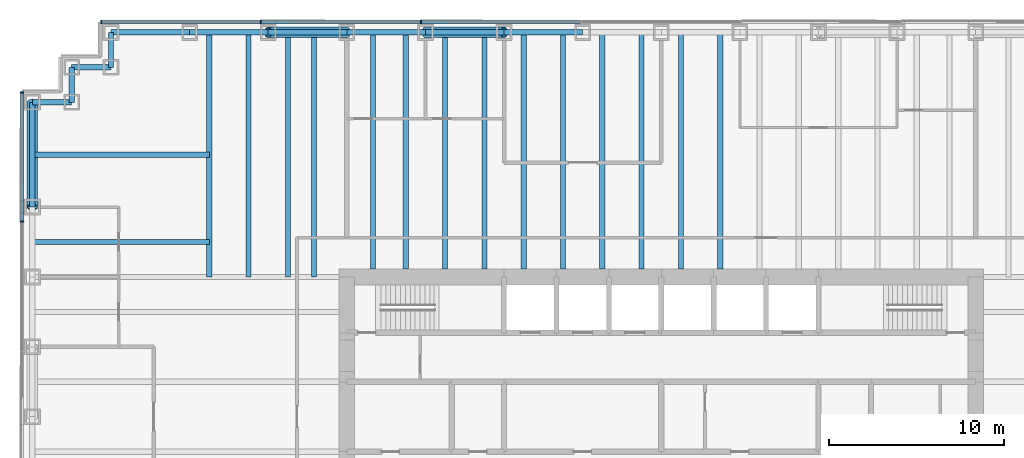
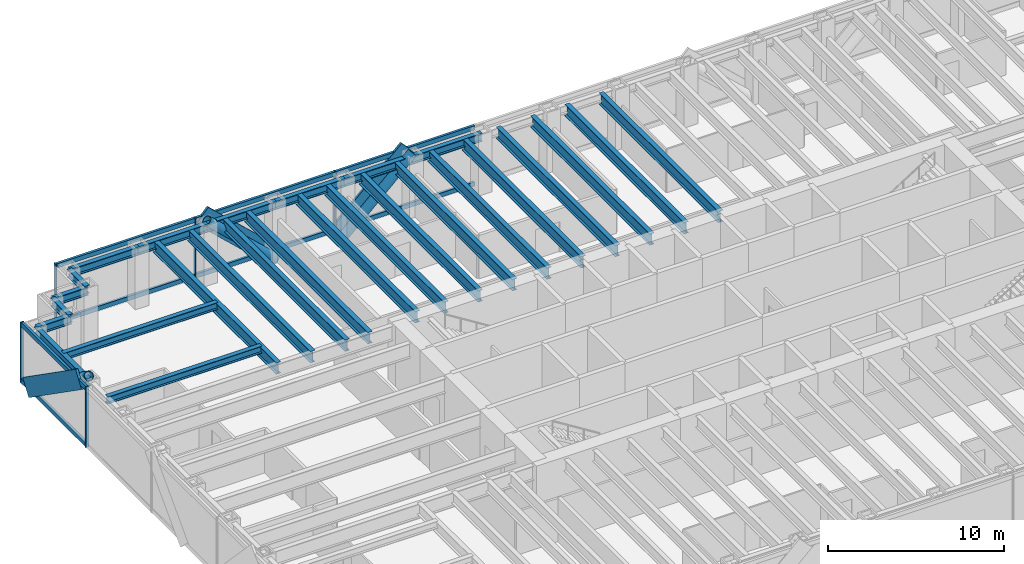
# One storey, part 6 of 15: 27 beams, 19 members, 2 elements without a shape of their own.
"""IFC4 building model written with IfcOpenShell, lengths in metres."""

from ifc_helpers import new_model, si_unit, direction, frame, origin, origin_2d, place, context, subcontext, project, spatial, rectangle, hollow_circle, i_section, extrude, material, material_profile, profile_set, type_object, element, aggregate, save


model = new_model("IFC4")

# Units and contexts
model_context = context("Model", 3, precision=1e-05, world=origin(), true_north=direction((0.0, 1.0)))
body_context = subcontext(model_context, "Body", "Model", "MODEL_VIEW")
ifc_project = project(units=[si_unit("LENGTHUNIT", "METRE"), si_unit("AREAUNIT", "SQUARE_METRE"), si_unit("VOLUMEUNIT", "CUBIC_METRE"), si_unit("PLANEANGLEUNIT", "RADIAN"), si_unit("MASSUNIT", "GRAM", prefix="KILO")], contexts=[model_context])

# Site, building, storey
site_placement = place(None, origin())
site = spatial("IfcSite", under=ifc_project, at=site_placement, CompositionType="ELEMENT")
building_placement = place(site_placement, origin())
building = spatial("IfcBuilding", under=site, at=building_placement, Name="Rheinbord Bourse Tower", CompositionType="ELEMENT")
storey_placement = place(building_placement, frame((0.0, 0.0, 142.5)))
storey = spatial("IfcBuildingStorey", under=building, at=storey_placement, Name="L31", CompositionType="ELEMENT", Elevation=142.5)

# Curtain wall, members
ifc_material_1 = material(Name="Dark glass and black aluminium", Category="aluminium")
curtain_wall_type = type_object("IfcCurtainWallType", Name="CW2 DARK GLASS CURTAIN WALL", PredefinedType="USERDEFINED", material=ifc_material_1)
curtain_wall_1_placement = place(storey_placement, origin())
curtain_wall_1 = element("IfcCurtainWall", 1, at=curtain_wall_1_placement, inside=storey, type_object=curtain_wall_type, Name="Curtain wall CW2 N L31", ObjectType="UNITISED CURTAIN WALL", PredefinedType="USERDEFINED")
ifc_material_2 = material(Name="Black anodised aluminium", Category="aluminium")
ifc_material_profile_1 = material_profile(ifc_material_2, rectangle(XDim=0.159912109375, YDim=1.2099609375, at=origin_2d()), Name="CW2 DIAGONAL MULLION 1210x160")
ifc_profile_set_1 = profile_set([ifc_material_profile_1], Name="Black anodised aluminium")
member_type_1 = type_object("IfcMemberType", Name="CW2 BLACK DIAGONAL MULLION", PredefinedType="USERDEFINED", material=ifc_profile_set_1)
member_1_placement = place(storey_placement, frame((22.5, 46.60009765625, 0.0), z_axis=(0.73105922506, 0.0, 0.682314010889), x_axis=(0.0, 1.0, 0.0)))
member_1 = element("IfcMember", 2, at=member_1_placement, type_object=member_type_1, Name="CW2 diagonal mullion a", ObjectType="DIAGONAL MULLION", PredefinedType="USERDEFINED", context=body_context, shape_type="SweptSolid", body=[
    extrude(rectangle(XDim=0.159912109375, YDim=1.2099609375, at=origin_2d()), origin(), (0.0, 0.0, 1.0), 6.155517578125),
])
member_2_placement = place(storey_placement, frame((18.0, 46.60009765625, 0.0), z_axis=(-0.73105922506, 0.0, 0.682314010889), x_axis=(0.0, -1.0, 0.0)))
member_2 = element("IfcMember", 3, at=member_2_placement, type_object=member_type_1, Name="CW2 diagonal mullion d", ObjectType="DIAGONAL MULLION", PredefinedType="USERDEFINED", context=body_context, shape_type="SweptSolid", body=[
    extrude(rectangle(XDim=0.159912109375, YDim=1.2099609375, at=origin_2d()), origin(), (0.0, 0.0, 1.0), 6.155517578125),
])

# Curtain wall, member
curtain_wall_2_placement = place(storey_placement, origin())
curtain_wall_2 = element("IfcCurtainWall", 4, at=curtain_wall_2_placement, inside=storey, type_object=curtain_wall_type, Name="Curtain wall CW2 W L31", ObjectType="UNITISED CURTAIN WALL", PredefinedType="USERDEFINED")
member_3_placement = place(storey_placement, frame((-0.60009765625, 42.0, 0.0), z_axis=(0.0, -0.819235052632, 0.57345786989), x_axis=(1.0, 0.0, 0.0)))
member_3 = element("IfcMember", 5, at=member_3_placement, type_object=member_type_1, Name="CW2 diagonal mullion d", ObjectType="DIAGONAL MULLION", PredefinedType="USERDEFINED", context=body_context, shape_type="SweptSolid", body=[
    extrude(rectangle(XDim=0.159912109375, YDim=1.2099609375, at=origin_2d()), origin(), (0.0, 0.0, 1.0), 7.323974609375),
])

# Member
ifc_material_3 = material(Name="Black anodised aluminium", Category="aluminium")
ifc_material_profile_2 = material_profile(ifc_material_3, rectangle(XDim=0.219970703125, YDim=0.070068359375, at=origin_2d()), Name="CW2 MULLION 70x220")
ifc_profile_set_2 = profile_set([ifc_material_profile_2], Name="Black anodised aluminium")
member_type_2 = type_object("IfcMemberType", Name="CW2 BLACK MULLION", PredefinedType="MULLION", material=ifc_profile_set_2)
member_4_placement = place(storey_placement, frame((22.242919921875, 46.60009765625, 0.0), z_axis=(0.0, 0.0, 1.0), x_axis=(0.0, -1.0, 0.0)))
member_4 = element("IfcMember", 6, at=member_4_placement, type_object=member_type_2, Name="CW2 mullion 6", PredefinedType="MULLION", context=body_context, shape_type="SweptSolid", body=[
    extrude(rectangle(XDim=0.219970703125, YDim=0.070068359375, at=origin_2d()), origin(), (0.0, 0.0, 1.0), 4.199951171875),
])

member_5_placement = place(storey_placement, frame((13.071533203125, 46.60009765625, 0.0), z_axis=(0.0, 0.0, 1.0), x_axis=(0.0, -1.0, 0.0)))
member_5 = element("IfcMember", 7, at=member_5_placement, type_object=member_type_2, Name="CW2 mullion 7", PredefinedType="MULLION", context=body_context, shape_type="SweptSolid", body=[
    extrude(rectangle(XDim=0.219970703125, YDim=0.070068359375, at=origin_2d()), origin(), (0.0, 0.0, 1.0), 4.199951171875),
])

member_6_placement = place(storey_placement, frame((3.93505859375, 46.60009765625, 0.0), z_axis=(0.0, 0.0, 1.0), x_axis=(0.0, -1.0, 0.0)))
member_6 = element("IfcMember", 8, at=member_6_placement, type_object=member_type_2, Name="CW2 mullion 8", PredefinedType="MULLION", context=body_context, shape_type="SweptSolid", body=[
    extrude(rectangle(XDim=0.219970703125, YDim=0.070068359375, at=origin_2d()), origin(), (0.0, 0.0, 1.0), 4.199951171875),
])

member_7_placement = place(storey_placement, frame((-0.60009765625, 42.56494140625, 0.0), z_axis=(0.0, 0.0, 1.0), x_axis=(1.0, 0.0, 0.0)))
member_7 = element("IfcMember", 9, at=member_7_placement, type_object=member_type_2, Name="CW2 mullion 1", PredefinedType="MULLION", context=body_context, shape_type="SweptSolid", body=[
    extrude(rectangle(XDim=0.219970703125, YDim=0.070068359375, at=origin_2d()), origin(), (0.0, 0.0, 1.0), 4.199951171875),
])

member_8_placement = place(storey_placement, frame((-0.60009765625, 35.159912109375, 0.0), z_axis=(0.0, 0.0, 1.0), x_axis=(1.0, 0.0, 0.0)))
member_8 = element("IfcMember", 10, at=member_8_placement, type_object=member_type_2, Name="CW2 mullion 2", PredefinedType="MULLION", context=body_context, shape_type="SweptSolid", body=[
    extrude(rectangle(XDim=0.219970703125, YDim=0.070068359375, at=origin_2d()), origin(), (0.0, 0.0, 1.0), 4.199951171875),
])

ifc_material_4 = material(Name="Black anodised aluminium", Category="aluminium")
ifc_material_profile_3 = material_profile(ifc_material_4, rectangle(XDim=0.159912109375, YDim=0.300048828125, at=origin_2d()), Name="CW2 TRANSOM 300x160")
ifc_profile_set_3 = profile_set([ifc_material_profile_3], Name="Black anodised aluminium")
member_type_3 = type_object("IfcMemberType", Name="CW2 BLACK TRANSOM", PredefinedType="USERDEFINED", material=ifc_profile_set_3)
member_9_placement = place(storey_placement, frame((31.37939453125, 46.60009765625, 0.14990234375), z_axis=(-1.0, 0.0, 0.0), x_axis=(0.0, -1.0, 0.0)))
member_9 = element("IfcMember", 11, at=member_9_placement, type_object=member_type_3, Name="CW2 transom 5.1", ObjectType="TRANSOM", PredefinedType="USERDEFINED", context=body_context, shape_type="SweptSolid", body=[
    extrude(rectangle(XDim=0.159912109375, YDim=0.300048828125, at=origin_2d()), origin(), (0.0, 0.0, 1.0), 9.1015625),
])

member_10_placement = place(storey_placement, frame((31.37939453125, 46.60009765625, 4.050048828125), z_axis=(-1.0, 0.0, 0.0), x_axis=(0.0, -1.0, 0.0)))
member_10 = element("IfcMember", 12, at=member_10_placement, type_object=member_type_3, Name="CW2 transom 5.2", ObjectType="TRANSOM", PredefinedType="USERDEFINED", context=body_context, shape_type="SweptSolid", body=[
    extrude(rectangle(XDim=0.159912109375, YDim=0.300048828125, at=origin_2d()), origin(), (0.0, 0.0, 1.0), 9.1015625),
])

member_11_placement = place(storey_placement, frame((22.207763671875, 46.60009765625, 0.14990234375), z_axis=(-1.0, 0.0, 0.0), x_axis=(0.0, -1.0, 0.0)))
member_11 = element("IfcMember", 13, at=member_11_placement, type_object=member_type_3, Name="CW2 transom 6.1", ObjectType="TRANSOM", PredefinedType="USERDEFINED", context=body_context, shape_type="SweptSolid", body=[
    extrude(rectangle(XDim=0.159912109375, YDim=0.300048828125, at=origin_2d()), origin(), (0.0, 0.0, 1.0), 9.101318359375),
])

member_12_placement = place(storey_placement, frame((22.207763671875, 46.60009765625, 4.050048828125), z_axis=(-1.0, 0.0, 0.0), x_axis=(0.0, -1.0, 0.0)))
member_12 = element("IfcMember", 14, at=member_12_placement, type_object=member_type_3, Name="CW2 transom 6.2", ObjectType="TRANSOM", PredefinedType="USERDEFINED", context=body_context, shape_type="SweptSolid", body=[
    extrude(rectangle(XDim=0.159912109375, YDim=0.300048828125, at=origin_2d()), origin(), (0.0, 0.0, 1.0), 9.101318359375),
])

member_13_placement = place(storey_placement, frame((13.036376953125, 46.60009765625, 0.14990234375), z_axis=(-1.0, 0.0, 0.0), x_axis=(0.0, -1.0, 0.0)))
member_13 = element("IfcMember", 15, at=member_13_placement, type_object=member_type_3, Name="CW2 transom 7.1", ObjectType="TRANSOM", PredefinedType="USERDEFINED", context=body_context, shape_type="SweptSolid", body=[
    extrude(rectangle(XDim=0.159912109375, YDim=0.300048828125, at=origin_2d()), origin(), (0.0, 0.0, 1.0), 9.06640625),
])

member_14_placement = place(storey_placement, frame((13.036376953125, 46.60009765625, 4.050048828125), z_axis=(-1.0, 0.0, 0.0), x_axis=(0.0, -1.0, 0.0)))
member_14 = element("IfcMember", 16, at=member_14_placement, type_object=member_type_3, Name="CW2 transom 7.2", ObjectType="TRANSOM", PredefinedType="USERDEFINED", context=body_context, shape_type="SweptSolid", body=[
    extrude(rectangle(XDim=0.159912109375, YDim=0.300048828125, at=origin_2d()), origin(), (0.0, 0.0, 1.0), 9.06640625),
])

aggregate(curtain_wall_1, [member_4, member_5, member_6, member_9, member_10, member_11, member_12, member_13, member_14, member_1, member_2])

member_15_placement = place(storey_placement, frame((-0.60009765625, 42.530029296875, 0.14990234375), z_axis=(0.0, -1.0, 0.0), x_axis=(1.0, 0.0, 0.0)))
member_15 = element("IfcMember", 17, at=member_15_placement, type_object=member_type_3, Name="CW2 transom 1.1", ObjectType="TRANSOM", PredefinedType="USERDEFINED", context=body_context, shape_type="SweptSolid", body=[
    extrude(rectangle(XDim=0.159912109375, YDim=0.300048828125, at=origin_2d()), origin(), (0.0, 0.0, 1.0), 7.3349609375),
])

member_16_placement = place(storey_placement, frame((-0.60009765625, 42.530029296875, 4.050048828125), z_axis=(0.0, -1.0, 0.0), x_axis=(1.0, 0.0, 0.0)))
member_16 = element("IfcMember", 18, at=member_16_placement, type_object=member_type_3, Name="CW2 transom 1.2", ObjectType="TRANSOM", PredefinedType="USERDEFINED", context=body_context, shape_type="SweptSolid", body=[
    extrude(rectangle(XDim=0.159912109375, YDim=0.300048828125, at=origin_2d()), origin(), (0.0, 0.0, 1.0), 7.3349609375),
])

aggregate(curtain_wall_2, [member_7, member_8, member_15, member_16, member_3])

# Beams
ifc_material_5 = material(Name="Steel S460", Category="steel")
ifc_material_profile_4 = material_profile(ifc_material_5, i_section(OverallWidth=0.300048828125, OverallDepth=0.800048828125, WebThickness=0.017578125, FlangeThickness=0.032958984375, at=origin_2d()), Name="HEB 800")
ifc_profile_set_4 = profile_set([ifc_material_profile_4], Name="Steel S460")
beam_type_1 = type_object("IfcBeamType", Name="FLOOR BEAM HEB 800", PredefinedType="BEAM", material=ifc_profile_set_4)
for number, where, z_axis, x_axis, name in (
    (19, (10.125, 46.0, 3.639892578125), (0.0, -1.0, 0.0), (1.0, 0.0, 0.0), "Floor beam N-9a L32"),
    (20, (12.375, 46.0, 3.639892578125), (0.0, -1.0, 0.0), (1.0, 0.0, 0.0), "Floor beam N-9b L32"),
    (21, (14.625, 46.0, 3.639892578125), (0.0, -1.0, 0.0), (1.0, 0.0, 0.0), "Floor beam N-13.5a L32"),
    (22, (16.125, 46.0, 3.639892578125), (0.0, -1.0, 0.0), (1.0, 0.0, 0.0), "Floor beam N-13.5b L32"),
):
    element("IfcBeam", number, at=place(storey_placement, frame(where, z_axis=z_axis, x_axis=x_axis)), inside=storey, type_object=beam_type_1, Name=name, PredefinedType="BEAM", context=body_context, shape_type="SweptSolid", body=[
        extrude(i_section(OverallWidth=0.300048828125, OverallDepth=0.800048828125, WebThickness=0.017578125, FlangeThickness=0.032958984375, at=origin_2d()), origin(), (0.0, 0.0, 1.0), 14.0),
    ])
for number, where, z_axis, x_axis, name in (
    (23, (19.5, 46.0, 3.639892578125), (0.0, -1.0, 0.0), (1.0, 0.0, 0.0), "Floor beam N-18a L32"),
    (24, (21.375, 46.0, 3.639892578125), (0.0, -1.0, 0.0), (1.0, 0.0, 0.0), "Floor beam N-18b L32"),
    (25, (23.625, 46.0, 3.639892578125), (0.0, -1.0, 0.0), (1.0, 0.0, 0.0), "Floor beam N-22.5a L32"),
    (26, (25.875, 46.0, 3.639892578125), (0.0, -1.0, 0.0), (1.0, 0.0, 0.0), "Floor beam N-22.5b L32"),
    (27, (28.125, 46.0, 3.639892578125), (0.0, -1.0, 0.0), (1.0, 0.0, 0.0), "Floor beam N-27a L32"),
    (28, (30.375, 46.0, 3.639892578125), (0.0, -1.0, 0.0), (1.0, 0.0, 0.0), "Floor beam N-27b L32"),
    (29, (32.625, 46.0, 3.639892578125), (0.0, -1.0, 0.0), (1.0, 0.0, 0.0), "Floor beam N-31.5a L32"),
    (30, (34.875, 46.0, 3.639892578125), (0.0, -1.0, 0.0), (1.0, 0.0, 0.0), "Floor beam N-31.5b L32"),
    (31, (37.125, 46.0, 3.639892578125), (0.0, -1.0, 0.0), (1.0, 0.0, 0.0), "Floor beam N-36a L32"),
    (32, (39.375, 46.0, 3.639892578125), (0.0, -1.0, 0.0), (1.0, 0.0, 0.0), "Floor beam N-36b L32"),
):
    element("IfcBeam", number, at=place(storey_placement, frame(where, z_axis=z_axis, x_axis=x_axis)), inside=storey, type_object=beam_type_1, Name=name, PredefinedType="BEAM", context=body_context, shape_type="SweptSolid", body=[
        extrude(i_section(OverallWidth=0.300048828125, OverallDepth=0.800048828125, WebThickness=0.017578125, FlangeThickness=0.032958984375, at=origin_2d()), origin(), (0.0, 0.0, 1.0), 13.550048828125),
    ])

# Members
ifc_material_6 = material(Name="Steel S460", Category="steel")
ifc_material_profile_5 = material_profile(ifc_material_6, hollow_circle(Radius=0.304931640625, WallThickness=0.0400390625, at=origin_2d()), Name="CHS 610x40")
ifc_profile_set_5 = profile_set([ifc_material_profile_5], Name="Steel S460")
member_type_4 = type_object("IfcMemberType", Name="MEGABRACE CHS 610x40", PredefinedType="BRACE", material=ifc_profile_set_5)
for number, where, z_axis, x_axis, name in (
    (33, (22.5, 46.0, 0.0), (0.73105922506, 0.0, 0.682314010889), (0.0, 1.0, 0.0), "Megabrace N face line a L31"),
    (34, (18.0, 46.0, 0.0), (-0.73105922506, 0.0, 0.682314010889), (0.0, -1.0, 0.0), "Megabrace N face line d L31"),
):
    element("IfcMember", number, at=place(storey_placement, frame(where, z_axis=z_axis, x_axis=x_axis)), inside=storey, type_object=member_type_4, Name=name, PredefinedType="BRACE", context=body_context, shape_type="SweptSolid", body=[
        extrude(hollow_circle(Radius=0.304931640625, WallThickness=0.0400390625, at=origin_2d()), origin(), (0.0, 0.0, 1.0), 6.155517578125),
    ])
member_17_placement = place(storey_placement, frame((0.0, 42.0, 0.0), z_axis=(0.0, -0.819235052632, 0.57345786989), x_axis=(1.0, 0.0, 0.0)))
element("IfcMember", 35, at=member_17_placement, inside=storey, type_object=member_type_4, Name="Megabrace W face line d L31", PredefinedType="BRACE", context=body_context, shape_type="SweptSolid", body=[
    extrude(hollow_circle(Radius=0.304931640625, WallThickness=0.0400390625, at=origin_2d()), origin(), (0.0, 0.0, 1.0), 7.323974609375),
])

# Beams
ifc_material_7 = material(Name="Steel S460", Category="steel")
ifc_material_profile_6 = material_profile(ifc_material_7, i_section(OverallWidth=0.305908203125, OverallDepth=0.572021484375, WebThickness=0.02099609375, FlangeThickness=0.0400390625, at=origin_2d()), Name="HEM 550")
ifc_profile_set_6 = profile_set([ifc_material_profile_6], Name="Steel S460")
beam_type_2 = type_object("IfcBeamType", Name="SPANDREL HEM 550", PredefinedType="SPANDREL", material=ifc_profile_set_6)
for number, where, z_axis, x_axis, name in (
    (36, (31.5, 46.0, 3.75390625), (-1.0, 0.0, 0.0), (0.0, -1.0, 0.0), "Spandrel N-31.5-N-27 under L32"),
    (37, (27.0, 46.0, 3.75390625), (-1.0, 0.0, 0.0), (0.0, -1.0, 0.0), "Spandrel N-27-N-22.5 under L32"),
    (38, (22.5, 46.0, 3.75390625), (-1.0, 0.0, 0.0), (0.0, -1.0, 0.0), "Spandrel N-22.5-N-18 under L32"),
    (39, (18.0, 46.0, 3.75390625), (-1.0, 0.0, 0.0), (0.0, -1.0, 0.0), "Spandrel N-18-N-13.5 under L32"),
    (40, (13.5, 46.0, 3.75390625), (-1.0, 0.0, 0.0), (0.0, -1.0, 0.0), "Spandrel N-13.5-N-9 under L32"),
    (41, (9.0, 46.0, 3.75390625), (-1.0, 0.0, 0.0), (0.0, -1.0, 0.0), "Spandrel N-9-NW-E under L32"),
):
    element("IfcBeam", number, at=place(storey_placement, frame(where, z_axis=z_axis, x_axis=x_axis)), inside=storey, type_object=beam_type_2, Name=name, PredefinedType="SPANDREL", context=body_context, shape_type="SweptSolid", body=[
        extrude(i_section(OverallWidth=0.305908203125, OverallDepth=0.572021484375, WebThickness=0.02099609375, FlangeThickness=0.0400390625, at=origin_2d()), origin(), (0.0, 0.0, 1.0), 4.5),
    ])
beam_1_placement = place(storey_placement, frame((4.5, 46.0, 3.75390625), z_axis=(0.0, -1.0, 0.0), x_axis=(1.0, 0.0, 0.0)))
element("IfcBeam", 42, at=beam_1_placement, inside=storey, type_object=beam_type_2, Name="Spandrel NW-E-NW-D under L32", PredefinedType="SPANDREL", context=body_context, shape_type="SweptSolid", body=[
    extrude(i_section(OverallWidth=0.305908203125, OverallDepth=0.572021484375, WebThickness=0.02099609375, FlangeThickness=0.0400390625, at=origin_2d()), origin(), (0.0, 0.0, 1.0), 2.0),
])
beam_2_placement = place(storey_placement, frame((4.5, 44.0, 3.75390625), z_axis=(-1.0, 0.0, 0.0), x_axis=(0.0, -1.0, 0.0)))
element("IfcBeam", 43, at=beam_2_placement, inside=storey, type_object=beam_type_2, Name="Spandrel NW-D-NW-C under L32", PredefinedType="SPANDREL", context=body_context, shape_type="SweptSolid", body=[
    extrude(i_section(OverallWidth=0.305908203125, OverallDepth=0.572021484375, WebThickness=0.02099609375, FlangeThickness=0.0400390625, at=origin_2d()), origin(), (0.0, 0.0, 1.0), 2.25),
])
beam_3_placement = place(storey_placement, frame((2.25, 44.0, 3.75390625), z_axis=(0.0, -1.0, 0.0), x_axis=(1.0, 0.0, 0.0)))
element("IfcBeam", 44, at=beam_3_placement, inside=storey, type_object=beam_type_2, Name="Spandrel NW-C-NW-B under L32", PredefinedType="SPANDREL", context=body_context, shape_type="SweptSolid", body=[
    extrude(i_section(OverallWidth=0.305908203125, OverallDepth=0.572021484375, WebThickness=0.02099609375, FlangeThickness=0.0400390625, at=origin_2d()), origin(), (0.0, 0.0, 1.0), 2.0),
])
beam_4_placement = place(storey_placement, frame((2.25, 42.0, 3.75390625), z_axis=(-1.0, 0.0, 0.0), x_axis=(0.0, -1.0, 0.0)))
element("IfcBeam", 45, at=beam_4_placement, inside=storey, type_object=beam_type_2, Name="Spandrel NW-B-NW-A under L32", PredefinedType="SPANDREL", context=body_context, shape_type="SweptSolid", body=[
    extrude(i_section(OverallWidth=0.305908203125, OverallDepth=0.572021484375, WebThickness=0.02099609375, FlangeThickness=0.0400390625, at=origin_2d()), origin(), (0.0, 0.0, 1.0), 2.25),
])
beam_5_placement = place(storey_placement, frame((0.0, 42.0, 3.75390625), z_axis=(0.0, -1.0, 0.0), x_axis=(1.0, 0.0, 0.0)))
element("IfcBeam", 46, at=beam_5_placement, inside=storey, type_object=beam_type_2, Name="Spandrel NW-A-W-36 under L32", PredefinedType="SPANDREL", context=body_context, shape_type="SweptSolid", body=[
    extrude(i_section(OverallWidth=0.305908203125, OverallDepth=0.572021484375, WebThickness=0.02099609375, FlangeThickness=0.0400390625, at=origin_2d()), origin(), (0.0, 0.0, 1.0), 6.0),
])
ifc_material_8 = material(Name="Steel S460", Category="steel")
ifc_material_profile_7 = material_profile(ifc_material_8, i_section(OverallWidth=0.300048828125, OverallDepth=0.5, WebThickness=0.014404296875, FlangeThickness=0.028076171875, at=origin_2d()), Name="HEB 500")
ifc_profile_set_7 = profile_set([ifc_material_profile_7], Name="Steel S460")
beam_type_3 = type_object("IfcBeamType", Name="TIE BEAM HEB 500", PredefinedType="JOIST", material=ifc_profile_set_7)
for number, where, z_axis, x_axis, name in (
    (47, (0.0, 34.0, 3.7900390625), (1.0, 0.0, 0.0), (0.0, 1.0, 0.0), "Tie west 34 L32"),
    (48, (0.0, 39.0, 3.7900390625), (1.0, 0.0, 0.0), (0.0, 1.0, 0.0), "Tie west 39 L32"),
):
    element("IfcBeam", number, at=place(storey_placement, frame(where, z_axis=z_axis, x_axis=x_axis)), inside=storey, type_object=beam_type_3, Name=name, PredefinedType="JOIST", context=body_context, shape_type="SweptSolid", body=[
        extrude(i_section(OverallWidth=0.300048828125, OverallDepth=0.5, WebThickness=0.014404296875, FlangeThickness=0.028076171875, at=origin_2d()), origin(), (0.0, 0.0, 1.0), 10.125),
    ])

save(model, "model.ifc")
